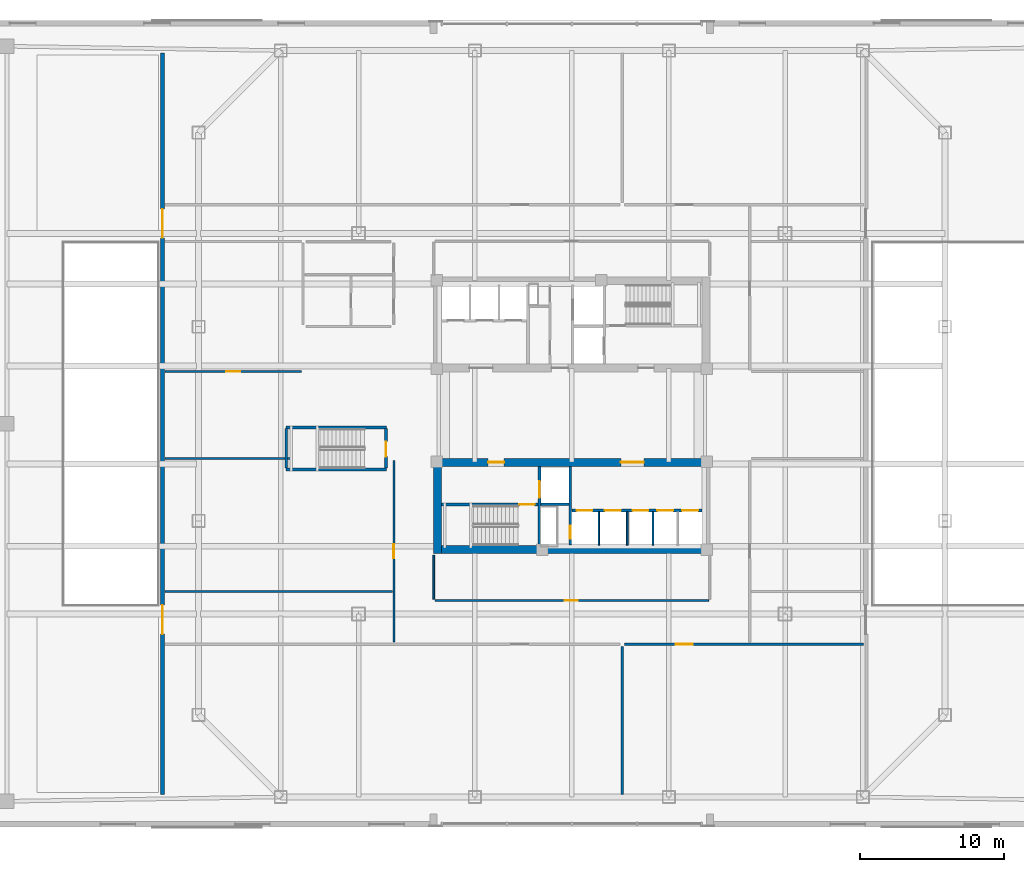
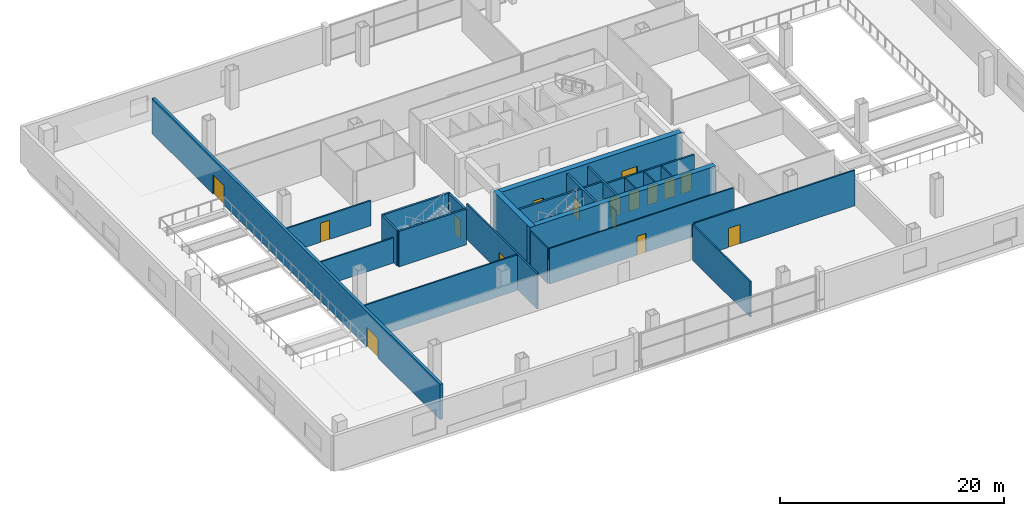
# One storey, part 12 of 21: 24 walls, 17 doors, 17 openings.
"""IFC4 building model written with IfcOpenShell, lengths in metres."""

from ifc_helpers import new_model, si_unit, direction, frame, frame_2d, origin, place, context, subcontext, project, spatial, rectangle, extrude, material, layer, layer_set, type_object, element, fill, save


model = new_model("IFC4")

# Units and contexts
model_context = context("Model", 3, precision=1e-05, world=origin(), true_north=direction((0.0, 1.0)))
body_context = subcontext(model_context, "Body", "Model", "MODEL_VIEW")
ifc_project = project(units=[si_unit("LENGTHUNIT", "METRE"), si_unit("AREAUNIT", "SQUARE_METRE"), si_unit("VOLUMEUNIT", "CUBIC_METRE"), si_unit("PLANEANGLEUNIT", "RADIAN"), si_unit("MASSUNIT", "GRAM", prefix="KILO")], contexts=[model_context])

# Site, building, storey
site_placement = place(None, origin())
site = spatial("IfcSite", under=ifc_project, at=site_placement, CompositionType="ELEMENT")
building_placement = place(site_placement, origin())
building = spatial("IfcBuilding", under=site, at=building_placement, Name="Qhalaya Broadcast Tower", CompositionType="ELEMENT")
storey_placement = place(building_placement, frame((0.0, 0.0, 9.300048828125)))
storey = spatial("IfcBuildingStorey", under=building, at=storey_placement, Name="L02", CompositionType="ELEMENT", Elevation=9.300048828125)

# Wall, opening, door
ifc_material_1 = material(Name="Gypsum Acoustic Partition")
ifc_layer_1 = layer(ifc_material_1, 0.14990234375, Name="Gypsum Acoustic Partition")
ifc_layer_set_1 = layer_set([ifc_layer_1], Name="Gypsum Acoustic Partition")
wall_type_1 = type_object("IfcWallType", Name="Corridor & Tenancy Acoustic Partition 150", PredefinedType="PARTITIONING", material=ifc_layer_set_1)
wall_1_placement = place(storey_placement, frame((3.659912109375, -15.300048828125, 0.0), z_axis=(0.0, 0.0, 1.0), x_axis=(1.0, 0.0, 0.0)))
wall_1 = element("IfcWall", 1, at=wall_1_placement, inside=storey, type_object=wall_type_1, Name="L02 Partition Wall W-STS1R", PredefinedType="PARTITIONING", context=body_context, shape_type="SweptSolid", body=[
    extrude(rectangle(XDim=16.580078125, YDim=0.14990234375, at=frame_2d((8.2900390625, 0.0))), origin(), (0.0, 0.0, 1.0), 3.8798828125),
])
opening_1_placement = place(wall_1_placement, frame((3.544921875, 0.0, 0.0)))
opening_1 = element("IfcOpeningElement", 2, at=opening_1_placement, cuts=wall_1, Name="Opening D11", PredefinedType="OPENING", context=body_context, shape_type="SweptSolid", body=[
    extrude(rectangle(XDim=1.199951171875, YDim=2.10009765625, at=frame_2d((0.60009765625, 1.050048828125))), frame((0.0, 0.0869140625, 0.0), z_axis=(0.0, -1.0, 0.0), x_axis=(1.0, 0.0, 0.0)), (0.0, 0.0, 1.0), 0.173828125),
])
ifc_material_2 = material(Name="Anodised Aluminium Glazed Door", Category="aluminium")
door_type_1 = type_object("IfcDoorType", Name="Conference, Boardroom & Studio Control Door D11", OperationType="NOTDEFINED", PredefinedType="DOOR", material=ifc_material_2)
door_1_placement = place(opening_1_placement, origin())
door_1 = element("IfcDoor", 3, at=door_1_placement, inside=storey, type_object=door_type_1, Name="L02 Door D-STS2", OperationType="SINGLE_SWING_LEFT", OverallHeight=2.10009765625, OverallWidth=1.199951171875, PredefinedType="DOOR", context=body_context, shape_type="SweptSolid", body=[
    extrude(rectangle(XDim=1.199951171875, YDim=2.10009765625, at=frame_2d((0.60009765625, 1.050048828125))), frame((0.0, 0.02490234375, 0.0), z_axis=(0.0, -1.0, 0.0), x_axis=(1.0, 0.0, 0.0)), (0.0, 0.0, 1.0), 0.050048828125),
])
fill(opening_1, door_1)

# Wall
wall_2_placement = place(storey_placement, frame((3.5, -25.739990234375, 0.0), z_axis=(0.0, 0.0, 1.0), x_axis=(0.0, 1.0, 0.0)))
element("IfcWall", 4, at=wall_2_placement, inside=storey, type_object=wall_type_1, Name="L02 Partition Wall W-STMS", PredefinedType="PARTITIONING", context=body_context, shape_type="SweptSolid", body=[
    extrude(rectangle(XDim=10.280029296875, YDim=0.14990234375, at=frame_2d((5.14013671875, 0.0))), origin(), (0.0, 0.0, 1.0), 3.8798828125),
])

# Wall, opening, door
wall_3_placement = place(storey_placement, frame((-12.35009765625, -15.139892578125, 0.0), z_axis=(0.0, 0.0, 1.0), x_axis=(0.0, 1.0, 0.0)))
wall_3 = element("IfcWall", 5, at=wall_3_placement, inside=storey, type_object=wall_type_1, Name="L02 Partition Wall W-STPW", PredefinedType="PARTITIONING", context=body_context, shape_type="SweptSolid", body=[
    extrude(rectangle(XDim=12.579833984375, YDim=0.14990234375, at=frame_2d((6.2900390625, 0.0))), origin(), (0.0, 0.0, 1.0), 3.8798828125),
])
opening_2_placement = place(wall_3_placement, frame((5.81494140625, 0.0, 0.0)))
opening_2 = element("IfcOpeningElement", 6, at=opening_2_placement, cuts=wall_3, Name="Opening D10", PredefinedType="OPENING", context=body_context, shape_type="SweptSolid", body=[
    extrude(rectangle(XDim=0.949951171875, YDim=2.10009765625, at=frame_2d((0.47509765625, 1.050048828125))), frame((0.0, 0.0869140625, 0.0), z_axis=(0.0, -1.0, 0.0), x_axis=(1.0, 0.0, 0.0)), (0.0, 0.0, 1.0), 0.173828125),
])
ifc_material_3 = material(Name="Timber Veneer Acoustic Door", Category="wood")
door_type_2 = type_object("IfcDoorType", Name="Cellular Office & Edit Booth Door D10", OperationType="NOTDEFINED", PredefinedType="DOOR", material=ifc_material_3)
door_2_placement = place(opening_2_placement, origin())
door_2 = element("IfcDoor", 7, at=door_2_placement, inside=storey, type_object=door_type_2, Name="L02 Door D-STPW", OperationType="SINGLE_SWING_LEFT", OverallHeight=2.10009765625, OverallWidth=0.949951171875, PredefinedType="DOOR", context=body_context, shape_type="SweptSolid", body=[
    extrude(rectangle(XDim=0.949951171875, YDim=2.10009765625, at=frame_2d((0.47509765625, 1.050048828125))), frame((0.0, 0.02490234375, 0.0), z_axis=(0.0, -1.0, 0.0), x_axis=(1.0, 0.0, 0.0)), (0.0, 0.0, 1.0), 0.050048828125),
])
fill(opening_2, door_2)

# Walls
wall_4_placement = place(storey_placement, frame((-28.239990234375, -2.419921875, 0.0), z_axis=(0.0, 0.0, 1.0), x_axis=(1.0, 0.0, 0.0)))
element("IfcWall", 8, at=wall_4_placement, inside=storey, type_object=wall_type_1, Name="L02 Partition Wall W-STPW2", PredefinedType="PARTITIONING", context=body_context, shape_type="SweptSolid", body=[
    extrude(rectangle(XDim=8.72998046875, YDim=0.14990234375, at=frame_2d((4.364990234375, 0.0))), origin(), (0.0, 0.0, 1.0), 2.741943359375),
])
wall_5_placement = place(storey_placement, frame((-28.239990234375, -11.64990234375, 0.0), z_axis=(0.0, 0.0, 1.0), x_axis=(1.0, 0.0, 0.0)))
element("IfcWall", 9, at=wall_5_placement, inside=storey, type_object=wall_type_1, Name="L02 Partition Wall W-GAL-SW", PredefinedType="PARTITIONING", context=body_context, shape_type="SweptSolid", body=[
    extrude(rectangle(XDim=15.780029296875, YDim=0.14990234375, at=frame_2d((7.89013671875, 0.0))), origin(), (0.0, 0.0, 1.0), 3.8798828125),
])

# Wall, opening, door
wall_6_placement = place(storey_placement, frame((-28.239990234375, 3.6201171875, 0.0), z_axis=(0.0, 0.0, 1.0), x_axis=(1.0, 0.0, 0.0)))
wall_6 = element("IfcWall", 10, at=wall_6_placement, inside=storey, type_object=wall_type_1, Name="L02 Partition Wall W-STPW3", PredefinedType="PARTITIONING", context=body_context, shape_type="SweptSolid", body=[
    extrude(rectangle(XDim=9.47998046875, YDim=0.14990234375, at=frame_2d((4.739990234375, 0.0))), origin(), (0.0, 0.0, 1.0), 2.741943359375),
])
opening_3_placement = place(wall_6_placement, frame((4.264892578125, 0.0, 0.0)))
opening_3 = element("IfcOpeningElement", 11, at=opening_3_placement, cuts=wall_6, Name="Opening D10", PredefinedType="OPENING", context=body_context, shape_type="SweptSolid", body=[
    extrude(rectangle(XDim=0.949951171875, YDim=2.10009765625, at=frame_2d((0.47509765625, 1.050048828125))), frame((0.0, 0.0869140625, 0.0), z_axis=(0.0, -1.0, 0.0), x_axis=(1.0, 0.0, 0.0)), (0.0, 0.0, 1.0), 0.173828125),
])
door_3_placement = place(opening_3_placement, origin())
door_3 = element("IfcDoor", 12, at=door_3_placement, inside=storey, type_object=door_type_2, Name="L02 Door D-STPW3", OperationType="SINGLE_SWING_RIGHT", OverallHeight=2.10009765625, OverallWidth=0.949951171875, PredefinedType="DOOR", context=body_context, shape_type="SweptSolid", body=[
    extrude(rectangle(XDim=0.949951171875, YDim=2.10009765625, at=frame_2d((0.47509765625, 1.050048828125))), frame((0.0, 0.02490234375, 0.0), z_axis=(0.0, -1.0, 0.0), x_axis=(1.0, 0.0, 0.0)), (0.0, 0.0, 1.0), 0.050048828125),
])
fill(opening_3, door_3)

# Wall, openings, doors
ifc_layer_2 = layer(ifc_material_1, 0.280029296875, Name="Gypsum Acoustic Partition")
ifc_layer_set_2 = layer_set([ifc_layer_2], Name="Gypsum Acoustic Partition")
wall_type_2 = type_object("IfcWallType", Name="Double-Leaf Soundstage Acoustic Wall 280", PredefinedType="MOVABLE", material=ifc_layer_set_2)
wall_7_placement = place(storey_placement, frame((-28.39990234375, -25.739990234375, 0.0), z_axis=(0.0, 0.0, 1.0), x_axis=(0.0, 1.0, 0.0)))
wall_7 = element("IfcWall", 13, at=wall_7_placement, inside=storey, type_object=wall_type_2, Name="L02 Partition Wall W-STAW", PredefinedType="MOVABLE", context=body_context, shape_type="SweptSolid", body=[
    extrude(rectangle(XDim=51.47998046875, YDim=0.280029296875, at=frame_2d((25.739990234375, 0.0))), origin(), (0.0, 0.0, 1.0), 3.8798828125),
])
opening_4_placement = place(wall_7_placement, frame((11.14892578125, 0.0, 0.0)))
opening_4 = element("IfcOpeningElement", 14, at=opening_4_placement, cuts=wall_7, Name="Opening D08", PredefinedType="OPENING", context=body_context, shape_type="SweptSolid", body=[
    extrude(rectangle(XDim=2.0, YDim=2.139892578125, at=frame_2d((1.0, 1.06982421875))), frame((0.0, 0.152099609375, 0.0), z_axis=(0.0, -1.0, 0.0), x_axis=(1.0, 0.0, 0.0)), (0.0, 0.0, 1.0), 0.303955078125),
])
opening_5_placement = place(wall_7_placement, frame((38.639892578125, 0.0, 0.0)))
opening_5 = element("IfcOpeningElement", 15, at=opening_5_placement, cuts=wall_7, Name="Opening D08", PredefinedType="OPENING", context=body_context, shape_type="SweptSolid", body=[
    extrude(rectangle(XDim=2.0, YDim=2.139892578125, at=frame_2d((1.0, 1.06982421875))), frame((0.0, 0.152099609375, 0.0), z_axis=(0.0, -1.0, 0.0), x_axis=(1.0, 0.0, 0.0)), (0.0, 0.0, 1.0), 0.303955078125),
])
ifc_material_4 = material(Name="Acoustic Studio Isolation Steel Door", Category="steel")
door_type_3 = type_object("IfcDoorType", Name="Soundstage Acoustic Isolation Double Door D08", OperationType="DOUBLE_DOOR_SINGLE_SWING", PredefinedType="DOOR", material=ifc_material_4)
door_4_placement = place(opening_4_placement, origin())
door_4 = element("IfcDoor", 16, at=door_4_placement, inside=storey, type_object=door_type_3, Name="L02 Door D-STA1S", OperationType="DOUBLE_DOOR_SINGLE_SWING", OverallHeight=2.139892578125, OverallWidth=2.0, PredefinedType="DOOR", context=body_context, shape_type="SweptSolid", body=[
    extrude(rectangle(XDim=2.0, YDim=2.139892578125, at=frame_2d((1.0, 1.06982421875))), frame((0.0, 0.02490234375, 0.0), z_axis=(0.0, -1.0, 0.0), x_axis=(1.0, 0.0, 0.0)), (0.0, 0.0, 1.0), 0.050048828125),
])
fill(opening_4, door_4)
door_5_placement = place(opening_5_placement, origin())
door_5 = element("IfcDoor", 17, at=door_5_placement, inside=storey, type_object=door_type_3, Name="L02 Door D-STA1N", OperationType="DOUBLE_DOOR_SINGLE_SWING", OverallHeight=2.139892578125, OverallWidth=2.0, PredefinedType="DOOR", context=body_context, shape_type="SweptSolid", body=[
    extrude(rectangle(XDim=2.0, YDim=2.139892578125, at=frame_2d((1.0, 1.06982421875))), frame((0.0, 0.02490234375, 0.0), z_axis=(0.0, -1.0, 0.0), x_axis=(1.0, 0.0, 0.0)), (0.0, 0.0, 1.0), 0.050048828125),
])
fill(opening_5, door_5)

# Wall, opening, door
ifc_material_5 = material(Name="Concrete C50/60", Category="concrete")
ifc_layer_3 = layer(ifc_material_5, 0.199951171875, Name="Concrete C50/60")
ifc_layer_set_3 = layer_set([ifc_layer_3], Name="Concrete C50/60")
wall_type_3 = type_object("IfcWallType", Name="Load-Bearing Stair Shaft Wall 200", PredefinedType="SHEAR", material=ifc_layer_set_3)
wall_8_placement = place(storey_placement, frame((-9.030029296875, -5.60498046875, 0.0), z_axis=(0.0, 0.0, 1.0), x_axis=(1.0, 0.0, 0.0)))
wall_8 = element("IfcWall", 18, at=wall_8_placement, inside=storey, type_object=wall_type_3, Name="L02 Stair Core Shear Wall SCW-ST2", PredefinedType="SHEAR", context=body_context, shape_type="SweptSolid", body=[
    extrude(rectangle(XDim=6.669921875, YDim=0.199951171875, at=frame_2d((3.3349609375, 0.0))), origin(), (0.0, 0.0, 1.0), 3.8798828125),
])
opening_6_placement = place(wall_8_placement, frame((5.39990234375, 0.0, 0.0)))
opening_6 = element("IfcOpeningElement", 19, at=opening_6_placement, cuts=wall_8, Name="Opening D03", PredefinedType="OPENING", context=body_context, shape_type="SweptSolid", body=[
    extrude(rectangle(XDim=1.050048828125, YDim=2.080078125, at=frame_2d((0.52490234375, 1.0400390625))), frame((0.0, 0.112060546875, 0.0), z_axis=(0.0, -1.0, 0.0), x_axis=(1.0, 0.0, 0.0)), (0.0, 0.0, 1.0), 0.223876953125),
])
ifc_material_6 = material(Name="Fire-Rated Steel Door", Category="steel")
door_type_4 = type_object("IfcDoorType", Name="Core Stair Protected Fire Door D03", OperationType="NOTDEFINED", PredefinedType="DOOR", material=ifc_material_6)
door_6_placement = place(opening_6_placement, origin())
door_6 = element("IfcDoor", 20, at=door_6_placement, inside=storey, type_object=door_type_4, Name="L02 Door D-SST2", OperationType="SINGLE_SWING_RIGHT", OverallHeight=2.080078125, OverallWidth=1.050048828125, PredefinedType="DOOR", context=body_context, shape_type="SweptSolid", body=[
    extrude(rectangle(XDim=1.050048828125, YDim=2.080078125, at=frame_2d((0.52490234375, 1.0400390625))), frame((0.0, 0.02490234375, 0.0), z_axis=(0.0, -1.0, 0.0), x_axis=(1.0, 0.0, 0.0)), (0.0, 0.0, 1.0), 0.050048828125),
])
fill(opening_6, door_6)

wall_9_placement = place(storey_placement, frame((-2.25, -8.429931640625, 0.0), z_axis=(0.0, 0.0, 1.0), x_axis=(0.0, 1.0, 0.0)))
wall_9 = element("IfcWall", 21, at=wall_9_placement, inside=storey, type_object=wall_type_3, Name="L02 Stair Core Shear Wall SCW-FF", PredefinedType="SHEAR", context=body_context, shape_type="SweptSolid", body=[
    extrude(rectangle(XDim=5.4599609375, YDim=0.199951171875, at=frame_2d((2.72998046875, 0.0))), origin(), (0.0, 0.0, 1.0), 3.8798828125),
])
opening_7_placement = place(wall_9_placement, frame((3.300048828125, 0.0, 0.0)))
opening_7 = element("IfcOpeningElement", 22, at=opening_7_placement, cuts=wall_9, Name="Opening LD2", PredefinedType="OPENING", context=body_context, shape_type="SweptSolid", body=[
    extrude(rectangle(XDim=1.14990234375, YDim=2.080078125, at=frame_2d((0.574951171875, 1.0400390625))), frame((0.0, 0.112060546875, 0.0), z_axis=(0.0, -1.0, 0.0), x_axis=(1.0, 0.0, 0.0)), (0.0, 0.0, 1.0), 0.223876953125),
])
ifc_material_7 = material(Name="Brushed Stainless Steel Lift Door", Category="steel")
door_type_5 = type_object("IfcDoorType", Name="Firefighting Lift Sliding Landing Door LD2", OperationType="DOUBLE_DOOR_SLIDING", PredefinedType="DOOR", material=ifc_material_7)
door_7_placement = place(opening_7_placement, origin())
door_7 = element("IfcDoor", 23, at=door_7_placement, inside=storey, type_object=door_type_5, Name="L02 Door LD-FF2", OperationType="DOUBLE_DOOR_SLIDING", OverallHeight=2.080078125, OverallWidth=1.14990234375, PredefinedType="DOOR", context=body_context, shape_type="SweptSolid", body=[
    extrude(rectangle(XDim=1.14990234375, YDim=2.080078125, at=frame_2d((0.574951171875, 1.0400390625))), frame((0.0, 0.02490234375, 0.0), z_axis=(0.0, -1.0, 0.0), x_axis=(1.0, 0.0, 0.0)), (0.0, 0.0, 1.0), 0.050048828125),
])
fill(opening_7, door_7)

# Walls
for number, where, z_axis, x_axis, name in (
    (24, (-19.830078125, -0.25, 0.0), (0.0, 0.0, 1.0), (1.0, 0.0, 0.0), "L02 Stair Core Shear Wall W-STP1N"),
    (25, (-19.830078125, -3.179931640625, 0.0), (0.0, 0.0, 1.0), (1.0, 0.0, 0.0), "L02 Stair Core Shear Wall W-STP1S"),
):
    element("IfcWall", number, at=place(storey_placement, frame(where, z_axis=z_axis, x_axis=x_axis)), inside=storey, type_object=wall_type_3, Name=name, PredefinedType="SHEAR", context=body_context, shape_type="SweptSolid", body=[
        extrude(rectangle(XDim=6.9599609375, YDim=0.199951171875, at=frame_2d((3.47998046875, 0.0))), origin(), (0.0, 0.0, 1.0), 3.8798828125),
    ])

# Wall, opening, door
wall_10_placement = place(storey_placement, frame((-12.89990234375, -0.340087890625, 0.0), z_axis=(0.0, 0.0, 1.0), x_axis=(0.0, -1.0, 0.0)))
wall_10 = element("IfcWall", 26, at=wall_10_placement, inside=storey, type_object=wall_type_3, Name="L02 Stair Core Shear Wall W-STP1E", PredefinedType="SHEAR", context=body_context, shape_type="SweptSolid", body=[
    extrude(rectangle(XDim=2.739990234375, YDim=0.199951171875, at=frame_2d((1.3701171875, 0.0))), origin(), (0.0, 0.0, 1.0), 3.8798828125),
])
opening_8_placement = place(wall_10_placement, frame((0.89501953125, 0.0, 0.0)))
opening_8 = element("IfcOpeningElement", 27, at=opening_8_placement, cuts=wall_10, Name="Opening D03", PredefinedType="OPENING", context=body_context, shape_type="SweptSolid", body=[
    extrude(rectangle(XDim=1.050048828125, YDim=2.080078125, at=frame_2d((0.52490234375, 1.0400390625))), frame((0.0, 0.112060546875, 0.0), z_axis=(0.0, -1.0, 0.0), x_axis=(1.0, 0.0, 0.0)), (0.0, 0.0, 1.0), 0.223876953125),
])
door_8_placement = place(opening_8_placement, origin())
door_8 = element("IfcDoor", 28, at=door_8_placement, inside=storey, type_object=door_type_4, Name="L02 Door D-STP1", OperationType="SINGLE_SWING_LEFT", OverallHeight=2.080078125, OverallWidth=1.050048828125, PredefinedType="DOOR", context=body_context, shape_type="SweptSolid", body=[
    extrude(rectangle(XDim=1.050048828125, YDim=2.080078125, at=frame_2d((0.52490234375, 1.0400390625))), frame((0.0, 0.02490234375, 0.0), z_axis=(0.0, -1.0, 0.0), x_axis=(1.0, 0.0, 0.0)), (0.0, 0.0, 1.0), 0.050048828125),
])
fill(opening_8, door_8)

# Walls
wall_11_placement = place(storey_placement, frame((-19.820068359375, -3.080078125, 0.0), z_axis=(0.0, 0.0, 1.0), x_axis=(0.0, 1.0, 0.0)))
element("IfcWall", 29, at=wall_11_placement, inside=storey, type_object=wall_type_3, Name="L02 Stair Core Shear Wall W-STP1W", PredefinedType="SHEAR", context=body_context, shape_type="SweptSolid", body=[
    extrude(rectangle(XDim=2.739990234375, YDim=0.199951171875, at=frame_2d((1.3701171875, 0.0))), origin(), (0.0, 0.0, 1.0), 3.8798828125),
])
ifc_material_8 = material(Name="Concrete C60/75", Category="concrete")
ifc_layer_4 = layer(ifc_material_8, 0.550048828125, Name="Concrete C60/75")
ifc_layer_set_4 = layer_set([ifc_layer_4], Name="Concrete C60/75")
wall_type_4 = type_object("IfcWallType", Name="Lower Split-Core Shear Wall 550", PredefinedType="SHEAR", material=ifc_layer_set_4)
wall_12_placement = place(storey_placement, frame((-9.60009765625, -8.72509765625, 0.0), z_axis=(0.0, 0.0, 1.0), x_axis=(1.0, 0.0, 0.0)))
element("IfcWall", 30, at=wall_12_placement, inside=storey, type_object=wall_type_4, Name="L02 Split-Core Shear Wall CW-SS", PredefinedType="SHEAR", context=body_context, shape_type="SweptSolid", body=[
    extrude(rectangle(XDim=19.2001953125, YDim=0.550048828125, at=frame_2d((9.60009765625, 0.0))), origin(), (0.0, 0.0, 1.0), 4.199951171875),
])

# Wall, openings, doors
wall_13_placement = place(storey_placement, frame((-9.60009765625, -2.675048828125, 0.0), z_axis=(0.0, 0.0, 1.0), x_axis=(1.0, 0.0, 0.0)))
wall_13 = element("IfcWall", 31, at=wall_13_placement, inside=storey, type_object=wall_type_4, Name="L02 Split-Core Shear Wall CW-SN", PredefinedType="SHEAR", context=body_context, shape_type="SweptSolid", body=[
    extrude(rectangle(XDim=19.2001953125, YDim=0.550048828125, at=frame_2d((9.60009765625, 0.0))), origin(), (0.0, 0.0, 1.0), 4.199951171875),
])
opening_9_placement = place(wall_13_placement, frame((3.800048828125, 0.0, 0.0)))
opening_9 = element("IfcOpeningElement", 32, at=opening_9_placement, cuts=wall_13, Name="Opening D04", PredefinedType="OPENING", context=body_context, shape_type="SweptSolid", body=[
    extrude(rectangle(XDim=1.10009765625, YDim=2.080078125, at=frame_2d((0.550048828125, 1.0400390625))), frame((0.0, 0.287109375, 0.0), z_axis=(0.0, -1.0, 0.0), x_axis=(1.0, 0.0, 0.0)), (0.0, 0.0, 1.0), 0.573974609375),
])
opening_10_placement = place(wall_13_placement, frame((13.0, 0.0, 0.0)))
opening_10 = element("IfcOpeningElement", 33, at=opening_10_placement, cuts=wall_13, Name="Opening D07", PredefinedType="OPENING", context=body_context, shape_type="SweptSolid", body=[
    extrude(rectangle(XDim=1.60009765625, YDim=2.1201171875, at=frame_2d((0.800048828125, 1.06005859375))), frame((0.0, 0.287109375, 0.0), z_axis=(0.0, -1.0, 0.0), x_axis=(1.0, 0.0, 0.0)), (0.0, 0.0, 1.0), 0.573974609375),
])
door_type_6 = type_object("IfcDoorType", Name="Firefighting Lobby Rated Door D04", OperationType="NOTDEFINED", PredefinedType="DOOR", material=ifc_material_6)
door_9_placement = place(opening_9_placement, origin())
door_9 = element("IfcDoor", 34, at=door_9_placement, inside=storey, type_object=door_type_6, Name="L02 Door D-SFF", OperationType="SINGLE_SWING_LEFT", OverallHeight=2.080078125, OverallWidth=1.10009765625, PredefinedType="DOOR", context=body_context, shape_type="SweptSolid", body=[
    extrude(rectangle(XDim=1.10009765625, YDim=2.080078125, at=frame_2d((0.550048828125, 1.0400390625))), frame((0.0, 0.02490234375, 0.0), z_axis=(0.0, -1.0, 0.0), x_axis=(1.0, 0.0, 0.0)), (0.0, 0.0, 1.0), 0.050048828125),
])
fill(opening_9, door_9)
door_type_7 = type_object("IfcDoorType", Name="Passenger Lift Lobby Double Glazed Door D07", OperationType="DOUBLE_DOOR_SINGLE_SWING", PredefinedType="DOOR", material=ifc_material_2)
door_10_placement = place(opening_10_placement, origin())
door_10 = element("IfcDoor", 35, at=door_10_placement, inside=storey, type_object=door_type_7, Name="L02 Door D-SPLL", OperationType="DOUBLE_DOOR_SINGLE_SWING", OverallHeight=2.1201171875, OverallWidth=1.60009765625, PredefinedType="DOOR", context=body_context, shape_type="SweptSolid", body=[
    extrude(rectangle(XDim=1.60009765625, YDim=2.1201171875, at=frame_2d((0.800048828125, 1.06005859375))), frame((0.0, 0.02490234375, 0.0), z_axis=(0.0, -1.0, 0.0), x_axis=(1.0, 0.0, 0.0)), (0.0, 0.0, 1.0), 0.050048828125),
])
fill(opening_10, door_10)

# Walls
wall_14_placement = place(storey_placement, frame((-9.324951171875, -9.0, 0.0), z_axis=(0.0, 0.0, 1.0), x_axis=(0.0, 1.0, 0.0)))
element("IfcWall", 36, at=wall_14_placement, inside=storey, type_object=wall_type_4, Name="L02 Split-Core Shear Wall CW-SW", PredefinedType="SHEAR", context=body_context, shape_type="SweptSolid", body=[
    extrude(rectangle(XDim=6.60009765625, YDim=0.550048828125, at=frame_2d((3.300048828125, 0.0))), origin(), (0.0, 0.0, 1.0), 4.199951171875),
])
ifc_layer_5 = layer(ifc_material_1, 0.1201171875, Name="Gypsum Acoustic Partition")
ifc_layer_set_5 = layer_set([ifc_layer_5], Name="Gypsum Acoustic Partition")
wall_type_5 = type_object("IfcWallType", Name="Office, Booth & Sanitary Partition 120", PredefinedType="PARTITIONING", material=ifc_layer_set_5)
for number, where, z_axis, x_axis, name in (
    (37, (1.8798828125, -8.429931640625, 0.0), (0.0, 0.0, 1.0), (0.0, 1.0, 0.0), "L02 Partition Wall SCW-MD4"),
    (38, (3.85009765625, -8.429931640625, 0.0), (0.0, 0.0, 1.0), (0.0, 1.0, 0.0), "L02 Partition Wall SCW-MD5"),
    (39, (5.639892578125, -8.429931640625, 0.0), (0.0, 0.0, 1.0), (0.0, 1.0, 0.0), "L02 Partition Wall SCW-HD6"),
):
    element("IfcWall", number, at=place(storey_placement, frame(where, z_axis=z_axis, x_axis=x_axis)), inside=storey, type_object=wall_type_5, Name=name, PredefinedType="PARTITIONING", context=body_context, shape_type="SweptSolid", body=[
        extrude(rectangle(XDim=2.329833984375, YDim=0.1201171875, at=frame_2d((1.1650390625, 0.0))), origin(), (0.0, 0.0, 1.0), 3.8798828125),
    ])

# Wall, opening, door
wall_15_placement = place(storey_placement, frame((-9.489990234375, -12.260009765625, 0.0), z_axis=(0.0, 0.0, 1.0), x_axis=(1.0, 0.0, 0.0)))
wall_15 = element("IfcWall", 40, at=wall_15_placement, inside=storey, type_object=wall_type_5, Name="L02 Partition Wall W-PCSHS", PredefinedType="PARTITIONING", context=body_context, shape_type="SweptSolid", body=[
    extrude(rectangle(XDim=18.97998046875, YDim=0.1201171875, at=frame_2d((9.489990234375, 0.0))), origin(), (0.0, 0.0, 1.0), 3.8798828125),
])
opening_11_placement = place(wall_15_placement, frame((9.014892578125, 0.0, 0.0)))
opening_11 = element("IfcOpeningElement", 41, at=opening_11_placement, cuts=wall_15, Name="Opening D06", PredefinedType="OPENING", context=body_context, shape_type="SweptSolid", body=[
    extrude(rectangle(XDim=0.89990234375, YDim=2.050048828125, at=frame_2d((0.449951171875, 1.02490234375))), frame((0.0, 0.072021484375, 0.0), z_axis=(0.0, -1.0, 0.0), x_axis=(1.0, 0.0, 0.0)), (0.0, 0.0, 1.0), 0.14404296875),
])
door_type_8 = type_object("IfcDoorType", Name="Riser & Electrical Shaft Access Door D06", OperationType="NOTDEFINED", PredefinedType="DOOR", material=ifc_material_6)
door_11_placement = place(opening_11_placement, origin())
door_11 = element("IfcDoor", 42, at=door_11_placement, inside=storey, type_object=door_type_8, Name="L02 Door D-PCSHS", OperationType="SINGLE_SWING_RIGHT", OverallHeight=2.050048828125, OverallWidth=0.89990234375, PredefinedType="DOOR", context=body_context, shape_type="SweptSolid", body=[
    extrude(rectangle(XDim=0.89990234375, YDim=2.050048828125, at=frame_2d((0.449951171875, 1.02490234375))), frame((0.0, 0.02490234375, 0.0), z_axis=(0.0, -1.0, 0.0), x_axis=(1.0, 0.0, 0.0)), (0.0, 0.0, 1.0), 0.050048828125),
])
fill(opening_11, door_11)

# Wall
wall_16_placement = place(storey_placement, frame((-9.580078125, -12.18994140625, 0.0), z_axis=(0.0, 0.0, 1.0), x_axis=(0.0, 1.0, 0.0)))
element("IfcWall", 43, at=wall_16_placement, inside=storey, type_object=wall_type_5, Name="L02 Partition Wall W-PCSHSW", PredefinedType="PARTITIONING", context=body_context, shape_type="SweptSolid", body=[
    extrude(rectangle(XDim=3.079833984375, YDim=0.1201171875, at=frame_2d((1.5400390625, 0.0))), origin(), (0.0, 0.0, 1.0), 3.8798828125),
])

# Wall, opening, door
ifc_layer_6 = layer(ifc_material_1, 0.175048828125, Name="Gypsum Acoustic Partition")
ifc_layer_set_6 = layer_set([ifc_layer_6], Name="Gypsum Acoustic Partition")
wall_type_6 = type_object("IfcWallType", Name="Shaft & Riser Fire Partition 175", PredefinedType="PARTITIONING", material=ifc_layer_set_6)
wall_17_placement = place(storey_placement, frame((-0.10009765625, -8.429931640625, 0.0), z_axis=(0.0, 0.0, 1.0), x_axis=(0.0, 1.0, 0.0)))
wall_17 = element("IfcWall", 44, at=wall_17_placement, inside=storey, type_object=wall_type_6, Name="L02 Partition Wall SCW-FFE", PredefinedType="PARTITIONING", context=body_context, shape_type="SweptSolid", body=[
    extrude(rectangle(XDim=5.4599609375, YDim=0.175048828125, at=frame_2d((2.72998046875, 0.0))), origin(), (0.0, 0.0, 1.0), 3.8798828125),
])
opening_12_placement = place(wall_17_placement, frame((0.449951171875, 0.0, 0.0)))
opening_12 = element("IfcOpeningElement", 45, at=opening_12_placement, cuts=wall_17, Name="Opening D06", PredefinedType="OPENING", context=body_context, shape_type="SweptSolid", body=[
    extrude(rectangle(XDim=0.89990234375, YDim=2.050048828125, at=frame_2d((0.449951171875, 1.02490234375))), frame((0.0, 0.099609375, 0.0), z_axis=(0.0, -1.0, 0.0), x_axis=(1.0, 0.0, 0.0)), (0.0, 0.0, 1.0), 0.198974609375),
])
door_12_placement = place(opening_12_placement, origin())
door_12 = element("IfcDoor", 46, at=door_12_placement, inside=storey, type_object=door_type_8, Name="L02 Riser Shaft Access Door D-SRSR", OperationType="SINGLE_SWING_LEFT", OverallHeight=2.050048828125, OverallWidth=0.89990234375, PredefinedType="DOOR", context=body_context, shape_type="SweptSolid", body=[
    extrude(rectangle(XDim=0.89990234375, YDim=2.050048828125, at=frame_2d((0.449951171875, 1.02490234375))), frame((0.0, 0.02490234375, 0.0), z_axis=(0.0, -1.0, 0.0), x_axis=(1.0, 0.0, 0.0)), (0.0, 0.0, 1.0), 0.050048828125),
])
fill(opening_12, door_12)

# Wall
wall_18_placement = place(storey_placement, frame((-2.14990234375, -5.60009765625, 0.0), z_axis=(0.0, 0.0, 1.0), x_axis=(1.0, 0.0, 0.0)))
element("IfcWall", 47, at=wall_18_placement, inside=storey, type_object=wall_type_6, Name="L02 Partition Wall SCW-FFM", PredefinedType="PARTITIONING", context=body_context, shape_type="SweptSolid", body=[
    extrude(rectangle(XDim=1.969970703125, YDim=0.175048828125, at=frame_2d((0.98486328125, 0.0))), origin(), (0.0, 0.0, 1.0), 3.8798828125),
])

# Wall, openings, doors
wall_19_placement = place(storey_placement, frame((0.0, -6.02001953125, 0.0), z_axis=(0.0, 0.0, 1.0), x_axis=(1.0, 0.0, 0.0)))
wall_19 = element("IfcWall", 48, at=wall_19_placement, inside=storey, type_object=wall_type_6, Name="L02 Partition Wall SCW-SLB", PredefinedType="PARTITIONING", context=body_context, shape_type="SweptSolid", body=[
    extrude(rectangle(XDim=9.030029296875, YDim=0.175048828125, at=frame_2d((4.51513671875, 0.0))), origin(), (0.0, 0.0, 1.0), 3.8798828125),
])
opening_13_placement = place(wall_19_placement, frame((0.330078125, 0.0, 0.0)))
opening_13 = element("IfcOpeningElement", 49, at=opening_13_placement, cuts=wall_19, Name="Opening LD1", PredefinedType="OPENING", context=body_context, shape_type="SweptSolid", body=[
    extrude(rectangle(XDim=1.10009765625, YDim=2.06005859375, at=frame_2d((0.550048828125, 1.030029296875))), frame((0.0, 0.099609375, 0.0), z_axis=(0.0, -1.0, 0.0), x_axis=(1.0, 0.0, 0.0)), (0.0, 0.0, 1.0), 0.198974609375),
])
opening_14_placement = place(wall_19_placement, frame((2.300048828125, 0.0, 0.0)))
opening_14 = element("IfcOpeningElement", 50, at=opening_14_placement, cuts=wall_19, Name="Opening LD1", PredefinedType="OPENING", context=body_context, shape_type="SweptSolid", body=[
    extrude(rectangle(XDim=1.10009765625, YDim=2.06005859375, at=frame_2d((0.550048828125, 1.030029296875))), frame((0.0, 0.099609375, 0.0), z_axis=(0.0, -1.0, 0.0), x_axis=(1.0, 0.0, 0.0)), (0.0, 0.0, 1.0), 0.198974609375),
])
opening_15_placement = place(wall_19_placement, frame((4.219970703125, 0.0, 0.0)))
opening_15 = element("IfcOpeningElement", 51, at=opening_15_placement, cuts=wall_19, Name="Opening LD1", PredefinedType="OPENING", context=body_context, shape_type="SweptSolid", body=[
    extrude(rectangle(XDim=1.10009765625, YDim=2.06005859375, at=frame_2d((0.550048828125, 1.030029296875))), frame((0.0, 0.099609375, 0.0), z_axis=(0.0, -1.0, 0.0), x_axis=(1.0, 0.0, 0.0)), (0.0, 0.0, 1.0), 0.198974609375),
])
opening_16_placement = place(wall_19_placement, frame((5.93994140625, 0.0, 0.0)))
opening_16 = element("IfcOpeningElement", 52, at=opening_16_placement, cuts=wall_19, Name="Opening LD1", PredefinedType="OPENING", context=body_context, shape_type="SweptSolid", body=[
    extrude(rectangle(XDim=1.10009765625, YDim=2.06005859375, at=frame_2d((0.550048828125, 1.030029296875))), frame((0.0, 0.099609375, 0.0), z_axis=(0.0, -1.0, 0.0), x_axis=(1.0, 0.0, 0.0)), (0.0, 0.0, 1.0), 0.198974609375),
])
opening_17_placement = place(wall_19_placement, frame((7.659912109375, 0.0, 0.0)))
opening_17 = element("IfcOpeningElement", 53, at=opening_17_placement, cuts=wall_19, Name="Opening LD1", PredefinedType="OPENING", context=body_context, shape_type="SweptSolid", body=[
    extrude(rectangle(XDim=1.10009765625, YDim=2.06005859375, at=frame_2d((0.550048828125, 1.030029296875))), frame((0.0, 0.099609375, 0.0), z_axis=(0.0, -1.0, 0.0), x_axis=(1.0, 0.0, 0.0)), (0.0, 0.0, 1.0), 0.198974609375),
])
door_type_9 = type_object("IfcDoorType", Name="Passenger Lift Sliding Landing Door LD1", OperationType="DOUBLE_DOOR_SLIDING", PredefinedType="DOOR", material=ifc_material_7)
door_13_placement = place(opening_13_placement, origin())
door_13 = element("IfcDoor", 54, at=door_13_placement, inside=storey, type_object=door_type_9, Name="L02 Door LD-P4", OperationType="DOUBLE_DOOR_SLIDING", OverallHeight=2.06005859375, OverallWidth=1.10009765625, PredefinedType="DOOR", context=body_context, shape_type="SweptSolid", body=[
    extrude(rectangle(XDim=1.10009765625, YDim=2.06005859375, at=frame_2d((0.550048828125, 1.030029296875))), frame((0.0, 0.02490234375, 0.0), z_axis=(0.0, -1.0, 0.0), x_axis=(1.0, 0.0, 0.0)), (0.0, 0.0, 1.0), 0.050048828125),
])
fill(opening_13, door_13)
door_14_placement = place(opening_14_placement, origin())
door_14 = element("IfcDoor", 55, at=door_14_placement, inside=storey, type_object=door_type_9, Name="L02 Door LD-P5", OperationType="DOUBLE_DOOR_SLIDING", OverallHeight=2.06005859375, OverallWidth=1.10009765625, PredefinedType="DOOR", context=body_context, shape_type="SweptSolid", body=[
    extrude(rectangle(XDim=1.10009765625, YDim=2.06005859375, at=frame_2d((0.550048828125, 1.030029296875))), frame((0.0, 0.02490234375, 0.0), z_axis=(0.0, -1.0, 0.0), x_axis=(1.0, 0.0, 0.0)), (0.0, 0.0, 1.0), 0.050048828125),
])
fill(opening_14, door_14)
door_15_placement = place(opening_15_placement, origin())
door_15 = element("IfcDoor", 56, at=door_15_placement, inside=storey, type_object=door_type_9, Name="L02 Door LD-P6", OperationType="DOUBLE_DOOR_SLIDING", OverallHeight=2.06005859375, OverallWidth=1.10009765625, PredefinedType="DOOR", context=body_context, shape_type="SweptSolid", body=[
    extrude(rectangle(XDim=1.10009765625, YDim=2.06005859375, at=frame_2d((0.550048828125, 1.030029296875))), frame((0.0, 0.02490234375, 0.0), z_axis=(0.0, -1.0, 0.0), x_axis=(1.0, 0.0, 0.0)), (0.0, 0.0, 1.0), 0.050048828125),
])
fill(opening_15, door_15)
door_16_placement = place(opening_16_placement, origin())
door_16 = element("IfcDoor", 57, at=door_16_placement, inside=storey, type_object=door_type_9, Name="L02 Door LD-P7", OperationType="DOUBLE_DOOR_SLIDING", OverallHeight=2.06005859375, OverallWidth=1.10009765625, PredefinedType="DOOR", context=body_context, shape_type="SweptSolid", body=[
    extrude(rectangle(XDim=1.10009765625, YDim=2.06005859375, at=frame_2d((0.550048828125, 1.030029296875))), frame((0.0, 0.02490234375, 0.0), z_axis=(0.0, -1.0, 0.0), x_axis=(1.0, 0.0, 0.0)), (0.0, 0.0, 1.0), 0.050048828125),
])
fill(opening_16, door_16)
door_17_placement = place(opening_17_placement, origin())
door_17 = element("IfcDoor", 58, at=door_17_placement, inside=storey, type_object=door_type_9, Name="L02 Door LD-P8", OperationType="DOUBLE_DOOR_SLIDING", OverallHeight=2.06005859375, OverallWidth=1.10009765625, PredefinedType="DOOR", context=body_context, shape_type="SweptSolid", body=[
    extrude(rectangle(XDim=1.10009765625, YDim=2.06005859375, at=frame_2d((0.550048828125, 1.030029296875))), frame((0.0, 0.02490234375, 0.0), z_axis=(0.0, -1.0, 0.0), x_axis=(1.0, 0.0, 0.0)), (0.0, 0.0, 1.0), 0.050048828125),
])
fill(opening_17, door_17)

save(model, "model.ifc")
